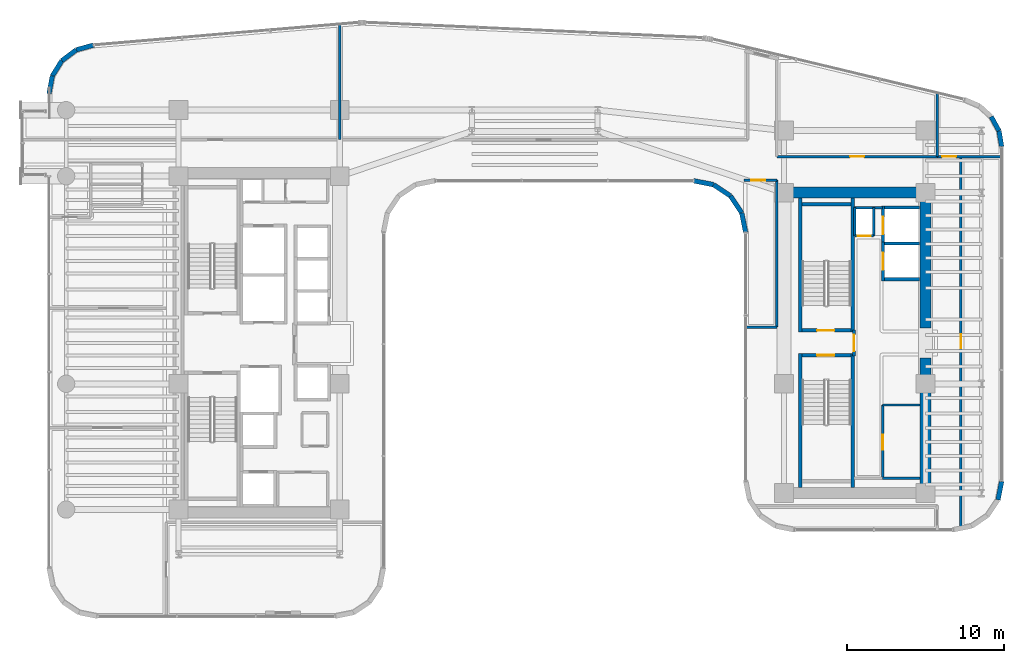
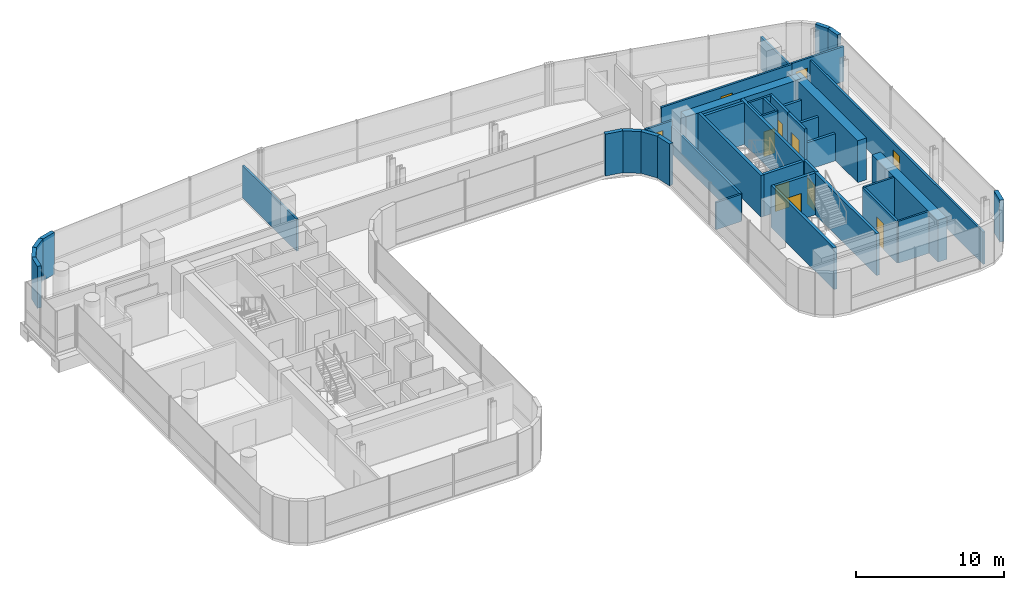
# One storey, part 29 of 34: 42 walls, 11 doors, 11 openings.
"""IFC4 building model written with IfcOpenShell, lengths in metres."""

from ifc_helpers import new_model, si_unit, direction, frame, frame_2d, origin, place, context, subcontext, project, spatial, rectangle, extrude, material, layer, layer_set, type_object, element, fill, save


model = new_model("IFC4")

# Units and contexts
model_context = context("Model", 3, precision=1e-05, world=origin(), true_north=direction((0.0, 1.0)))
body_context = subcontext(model_context, "Body", "Model", "MODEL_VIEW")
ifc_project = project(units=[si_unit("LENGTHUNIT", "METRE"), si_unit("AREAUNIT", "SQUARE_METRE"), si_unit("VOLUMEUNIT", "CUBIC_METRE"), si_unit("PLANEANGLEUNIT", "RADIAN"), si_unit("MASSUNIT", "GRAM", prefix="KILO")], contexts=[model_context])

# Site, building, storey
site_placement = place(None, origin())
site = spatial("IfcSite", under=ifc_project, at=site_placement, CompositionType="ELEMENT")
building_placement = place(site_placement, origin())
building = spatial("IfcBuilding", under=site, at=building_placement, Name="Valdorenza Pilgrim Sanctuary Tower", CompositionType="ELEMENT")
storey_placement = place(building_placement, frame((0.0, 0.0, 120.5)))
storey = spatial("IfcBuildingStorey", under=building, at=storey_placement, Name="L30", CompositionType="ELEMENT", Elevation=120.5)

# Wall, opening, door
ifc_material_1 = material(Name="Acoustic twin-stud gypsum partition", Category="gypsum")
ifc_layer_1 = layer(ifc_material_1, 0.159912109375, Name="Acoustic twin-stud gypsum partition")
ifc_layer_set_1 = layer_set([ifc_layer_1], Name="Acoustic twin-stud gypsum partition")
wall_type_1 = type_object("IfcWallType", Name="WAL-COR-160", PredefinedType="PARTITIONING", material=ifc_layer_set_1)
wall_1_placement = place(storey_placement, frame((20.35009765625, 6.800048828125, 0.0), z_axis=(0.0, 0.0, 1.0), x_axis=(1.0, 0.0, 0.0)))
wall_1 = element("IfcWall", 1, at=wall_1_placement, inside=storey, type_object=wall_type_1, Name="L30 Core B Riser South Wall", PredefinedType="PARTITIONING", context=body_context, shape_type="SweptSolid", body=[
    extrude(rectangle(XDim=1.199951171875, YDim=0.159912109375, at=frame_2d((0.60009765625, 0.0))), origin(), (0.0, 0.0, 1.0), 3.4599609375),
])
opening_1_placement = place(wall_1_placement, frame((0.175048828125, 0.0, 0.0)))
opening_1 = element("IfcOpeningElement", 2, at=opening_1_placement, cuts=wall_1, Name="Opening DR-RS1", PredefinedType="OPENING", context=body_context, shape_type="SweptSolid", body=[
    extrude(rectangle(XDim=0.85009765625, YDim=2.050048828125, at=frame_2d((0.425048828125, 1.02490234375))), frame((0.0, 0.0947265625, 0.0), z_axis=(0.0, -1.0, 0.0), x_axis=(1.0, 0.0, 0.0)), (0.0, 0.0, 1.0), 0.189697265625),
])
ifc_material_2 = material(Name="Painted galvanized steel", Category="steel")
door_type_1 = type_object("IfcDoorType", Name="DR-RSR-850", OperationType="NOTDEFINED", PredefinedType="DOOR", material=ifc_material_2)
door_1_placement = place(opening_1_placement, origin())
door_1 = element("IfcDoor", 3, at=door_1_placement, inside=storey, type_object=door_type_1, Name="L30 Core B Electrical Riser Door", OperationType="SINGLE_SWING_LEFT", OverallHeight=2.050048828125, OverallWidth=0.85009765625, PredefinedType="DOOR", context=body_context, shape_type="SweptSolid", body=[
    extrude(rectangle(XDim=0.85009765625, YDim=2.050048828125, at=frame_2d((0.425048828125, 1.02490234375))), frame((0.0, 0.02490234375, 0.0), z_axis=(0.0, -1.0, 0.0), x_axis=(1.0, 0.0, 0.0)), (0.0, 0.0, 1.0), 0.050048828125),
])
fill(opening_1, door_1)

# Walls
for number, where, z_axis, x_axis, name in (
    (4, (21.550048828125, 6.800048828125, 0.0), (0.0, 0.0, 1.0), (0.0, 1.0, 0.0), "L30 Core B Riser East Wall"),
    (5, (20.35009765625, 6.800048828125, 0.0), (0.0, 0.0, 1.0), (0.0, 1.0, 0.0), "L30 Core B Riser West Wall"),
):
    element("IfcWall", number, at=place(storey_placement, frame(where, z_axis=z_axis, x_axis=x_axis)), inside=storey, type_object=wall_type_1, Name=name, PredefinedType="PARTITIONING", context=body_context, shape_type="SweptSolid", body=[
        extrude(rectangle(XDim=1.800048828125, YDim=0.159912109375, at=frame_2d((0.89990234375, 0.0))), origin(), (0.0, 0.0, 1.0), 3.4599609375),
    ])
wall_2_placement = place(storey_placement, frame((20.300048828125, 8.60009765625, 0.0), z_axis=(0.0, 0.0, 1.0), x_axis=(1.0, 0.0, 0.0)))
element("IfcWall", 6, at=wall_2_placement, inside=storey, type_object=wall_type_1, Name="L30 Core B Lift Hall North End Wall", PredefinedType="PARTITIONING", context=body_context, shape_type="SweptSolid", body=[
    extrude(rectangle(XDim=1.820068359375, YDim=0.159912109375, at=frame_2d((0.91015625, 0.0))), origin(), (0.0, 0.0, 1.0), 3.4599609375),
])

# Wall, opening, door
wall_3_placement = place(storey_placement, frame((22.1201171875, -8.60009765625, 0.0), z_axis=(0.0, 0.0, 1.0), x_axis=(0.0, 1.0, 0.0)))
wall_3 = element("IfcWall", 7, at=wall_3_placement, inside=storey, type_object=wall_type_1, Name="L30 Core B Freed Shaft West Wall", PredefinedType="PARTITIONING", context=body_context, shape_type="SweptSolid", body=[
    extrude(rectangle(XDim=4.650146484375, YDim=0.159912109375, at=frame_2d((2.3251953125, 0.0))), origin(), (0.0, 0.0, 1.0), 3.4599609375),
])
opening_2_placement = place(wall_3_placement, frame((1.800048828125, 0.0, 0.0)))
opening_2 = element("IfcOpeningElement", 8, at=opening_2_placement, cuts=wall_3, Name="Opening DR-UN1", PredefinedType="OPENING", context=body_context, shape_type="SweptSolid", body=[
    extrude(rectangle(XDim=0.949951171875, YDim=2.14990234375, at=frame_2d((0.47509765625, 1.074951171875))), frame((0.0, 0.0947265625, 0.0), z_axis=(0.0, -1.0, 0.0), x_axis=(1.0, 0.0, 0.0)), (0.0, 0.0, 1.0), 0.189697265625),
])
ifc_material_3 = material(Name="Solid-core European oak timber", Category="wood")
door_type_2 = type_object("IfcDoorType", Name="DR-UNIT-950", OperationType="NOTDEFINED", PredefinedType="DOOR", material=ifc_material_3)
door_2_placement = place(opening_2_placement, origin())
door_2 = element("IfcDoor", 9, at=door_2_placement, inside=storey, type_object=door_type_2, Name="L30 East Core Linen Store Door", OperationType="SINGLE_SWING_RIGHT", OverallHeight=2.14990234375, OverallWidth=0.949951171875, PredefinedType="DOOR", context=body_context, shape_type="SweptSolid", body=[
    extrude(rectangle(XDim=0.949951171875, YDim=2.14990234375, at=frame_2d((0.47509765625, 1.074951171875))), frame((0.0, 0.02490234375, 0.0), z_axis=(0.0, -1.0, 0.0), x_axis=(1.0, 0.0, 0.0)), (0.0, 0.0, 1.0), 0.050048828125),
])
fill(opening_2, door_2)

wall_4_placement = place(storey_placement, frame((15.39990234375, 11.85009765625, 0.0), z_axis=(0.0, 0.0, 1.0), x_axis=(1.0, 0.0, 0.0)))
wall_4 = element("IfcWall", 10, at=wall_4_placement, inside=storey, type_object=wall_type_1, Name="L30 Wing B North Corridor Wall", PredefinedType="PARTITIONING", context=body_context, shape_type="SweptSolid", body=[
    extrude(rectangle(XDim=10.2001953125, YDim=0.159912109375, at=frame_2d((5.10009765625, 0.0))), origin(), (0.0, 0.0, 1.0), 2.833984375),
])
opening_3_placement = place(wall_4_placement, frame((4.64990234375, 0.0, 0.0)))
opening_3 = element("IfcOpeningElement", 11, at=opening_3_placement, cuts=wall_4, Name="Opening DR-RM1", PredefinedType="OPENING", context=body_context, shape_type="SweptSolid", body=[
    extrude(rectangle(XDim=0.89990234375, YDim=2.10009765625, at=frame_2d((0.449951171875, 1.050048828125))), frame((0.0, 0.0947265625, 0.0), z_axis=(0.0, -1.0, 0.0), x_axis=(1.0, 0.0, 0.0)), (0.0, 0.0, 1.0), 0.189697265625),
])
door_type_3 = type_object("IfcDoorType", Name="DR-ROOM-900", OperationType="NOTDEFINED", PredefinedType="DOOR", material=ifc_material_3)
door_3_placement = place(opening_3_placement, frame((0.89990234375, 0.0, 0.0), z_axis=(0.0, 0.0, 1.0), x_axis=(-1.0, 0.0, 0.0)))
door_3 = element("IfcDoor", 12, at=door_3_placement, inside=storey, type_object=door_type_3, Name="L30 Curator Research Office L30-BN1 Door", OperationType="SINGLE_SWING_LEFT", OverallHeight=2.10009765625, OverallWidth=0.89990234375, PredefinedType="DOOR", context=body_context, shape_type="SweptSolid", body=[
    extrude(rectangle(XDim=0.89990234375, YDim=2.10009765625, at=frame_2d((0.449951171875, 1.050048828125))), frame((0.0, 0.02490234375, 0.0), z_axis=(0.0, -1.0, 0.0), x_axis=(1.0, 0.0, 0.0)), (0.0, 0.0, 1.0), 0.050048828125),
])
fill(opening_3, door_3)

# Wall
wall_5_placement = place(storey_placement, frame((25.60009765625, 11.85009765625, 0.0), z_axis=(0.0, 0.0, 1.0), x_axis=(0.0, 1.0, 0.0)))
element("IfcWall", 13, at=wall_5_placement, inside=storey, type_object=wall_type_1, Name="L30 Wing B North East Wall", PredefinedType="PARTITIONING", context=body_context, shape_type="SweptSolid", body=[
    extrude(rectangle(XDim=4.042236328125, YDim=0.159912109375, at=frame_2d((2.02099609375, 0.0))), origin(), (0.0, 0.0, 1.0), 2.666015625),
])

# Wall, opening, door
wall_6_placement = place(storey_placement, frame((27.10009765625, -11.660888671875, 0.0), z_axis=(0.0, 0.0, 1.0), x_axis=(0.0, 1.0, 0.0)))
wall_6 = element("IfcWall", 14, at=wall_6_placement, inside=storey, type_object=wall_type_1, Name="L30 Wing B East Corridor Wall", PredefinedType="PARTITIONING", context=body_context, shape_type="SweptSolid", body=[
    extrude(rectangle(XDim=23.510986328125, YDim=0.159912109375, at=frame_2d((11.75537109375, 0.0))), origin(), (0.0, 0.0, 1.0), 2.666015625),
])
opening_4_placement = place(wall_6_placement, frame((11.304931640625, 0.0, 0.0)))
opening_4 = element("IfcOpeningElement", 15, at=opening_4_placement, cuts=wall_6, Name="Opening DR-RM1", PredefinedType="OPENING", context=body_context, shape_type="SweptSolid", body=[
    extrude(rectangle(XDim=0.89990234375, YDim=2.10009765625, at=frame_2d((0.449951171875, 1.050048828125))), frame((0.0, 0.0947265625, 0.0), z_axis=(0.0, -1.0, 0.0), x_axis=(1.0, 0.0, 0.0)), (0.0, 0.0, 1.0), 0.189697265625),
])
door_4_placement = place(opening_4_placement, origin())
door_4 = element("IfcDoor", 16, at=door_4_placement, inside=storey, type_object=door_type_3, Name="L30 Open Plan Scholar Office L30-EB1 Door", OperationType="SINGLE_SWING_RIGHT", OverallHeight=2.10009765625, OverallWidth=0.89990234375, PredefinedType="DOOR", context=body_context, shape_type="SweptSolid", body=[
    extrude(rectangle(XDim=0.89990234375, YDim=2.10009765625, at=frame_2d((0.449951171875, 1.050048828125))), frame((0.0, 0.02490234375, 0.0), z_axis=(0.0, -1.0, 0.0), x_axis=(1.0, 0.0, 0.0)), (0.0, 0.0, 1.0), 0.050048828125),
])
fill(opening_4, door_4)

wall_7_placement = place(storey_placement, frame((25.60009765625, 11.85009765625, 0.0), z_axis=(0.0, 0.0, 1.0), x_axis=(1.0, 0.0, 0.0)))
wall_7 = element("IfcWall", 17, at=wall_7_placement, inside=storey, type_object=wall_type_1, Name="L30 East Wing NE Corner South Wall", PredefinedType="PARTITIONING", context=body_context, shape_type="SweptSolid", body=[
    extrude(rectangle(XDim=4.08984375, YDim=0.159912109375, at=frame_2d((2.044921875, 0.0))), origin(), (0.0, 0.0, 1.0), 2.89599609375),
])
opening_5_placement = place(wall_7_placement, frame((0.300048828125, 0.0, 0.0)))
opening_5 = element("IfcOpeningElement", 18, at=opening_5_placement, cuts=wall_7, Name="Opening DR-RM1", PredefinedType="OPENING", context=body_context, shape_type="SweptSolid", body=[
    extrude(rectangle(XDim=0.89990234375, YDim=2.10009765625, at=frame_2d((0.449951171875, 1.050048828125))), frame((0.0, 0.0947265625, 0.0), z_axis=(0.0, -1.0, 0.0), x_axis=(1.0, 0.0, 0.0)), (0.0, 0.0, 1.0), 0.189697265625),
])
door_5_placement = place(opening_5_placement, origin())
door_5 = element("IfcDoor", 19, at=door_5_placement, inside=storey, type_object=door_type_3, Name="L30 East North Alcove Office L30 Door", OperationType="SINGLE_SWING_LEFT", OverallHeight=2.10009765625, OverallWidth=0.89990234375, PredefinedType="DOOR", context=body_context, shape_type="SweptSolid", body=[
    extrude(rectangle(XDim=0.89990234375, YDim=2.10009765625, at=frame_2d((0.449951171875, 1.050048828125))), frame((0.0, 0.02490234375, 0.0), z_axis=(0.0, -1.0, 0.0), x_axis=(1.0, 0.0, 0.0)), (0.0, 0.0, 1.0), 0.050048828125),
])
fill(opening_5, door_5)

wall_8_placement = place(storey_placement, frame((13.300048828125, 10.35009765625, 0.0), z_axis=(0.0, 0.0, 1.0), x_axis=(1.0, 0.0, 0.0)))
wall_8 = element("IfcWall", 20, at=wall_8_placement, inside=storey, type_object=wall_type_1, Name="L30 Courtyard Overlook North Wall", PredefinedType="PARTITIONING", context=body_context, shape_type="SweptSolid", body=[
    extrude(rectangle(XDim=2.099853515625, YDim=0.159912109375, at=frame_2d((1.0498046875, 0.0))), origin(), (0.0, 0.0, 1.0), 2.666015625),
])
opening_6_placement = place(wall_8_placement, frame((0.449951171875, 0.0, 0.0)))
opening_6 = element("IfcOpeningElement", 21, at=opening_6_placement, cuts=wall_8, Name="Opening DR-RM1", PredefinedType="OPENING", context=body_context, shape_type="SweptSolid", body=[
    extrude(rectangle(XDim=0.89990234375, YDim=2.10009765625, at=frame_2d((0.449951171875, 1.050048828125))), frame((0.0, 0.0947265625, 0.0), z_axis=(0.0, -1.0, 0.0), x_axis=(1.0, 0.0, 0.0)), (0.0, 0.0, 1.0), 0.189697265625),
])
door_6_placement = place(opening_6_placement, origin())
door_6 = element("IfcDoor", 22, at=door_6_placement, inside=storey, type_object=door_type_3, Name="L30 Courtyard Overlook Salon Door", OperationType="SINGLE_SWING_LEFT", OverallHeight=2.10009765625, OverallWidth=0.89990234375, PredefinedType="DOOR", context=body_context, shape_type="SweptSolid", body=[
    extrude(rectangle(XDim=0.89990234375, YDim=2.10009765625, at=frame_2d((0.449951171875, 1.050048828125))), frame((0.0, 0.02490234375, 0.0), z_axis=(0.0, -1.0, 0.0), x_axis=(1.0, 0.0, 0.0)), (0.0, 0.0, 1.0), 0.050048828125),
])
fill(opening_6, door_6)

# Walls
wall_9_placement = place(storey_placement, frame((15.39990234375, 1.0, 0.0), z_axis=(0.0, 0.0, 1.0), x_axis=(0.0, 1.0, 0.0)))
element("IfcWall", 23, at=wall_9_placement, inside=storey, type_object=wall_type_1, Name="L30 Courtyard Overlook East Wall", PredefinedType="PARTITIONING", context=body_context, shape_type="SweptSolid", body=[
    extrude(rectangle(XDim=9.35009765625, YDim=0.159912109375, at=frame_2d((4.675048828125, 0.0))), origin(), (0.0, 0.0, 1.0), 2.2451171875),
])
wall_10_placement = place(storey_placement, frame((13.409912109375, 1.0, 0.0), z_axis=(0.0, 0.0, 1.0), x_axis=(1.0, 0.0, 0.0)))
element("IfcWall", 24, at=wall_10_placement, inside=storey, type_object=wall_type_1, Name="L30 Courtyard Overlook South Wall", PredefinedType="PARTITIONING", context=body_context, shape_type="SweptSolid", body=[
    extrude(rectangle(XDim=1.989990234375, YDim=0.159912109375, at=frame_2d((0.9951171875, 0.0))), origin(), (0.0, 0.0, 1.0), 2.2451171875),
])
ifc_material_4 = material(Name="Concrete C60/75", Category="concrete")
ifc_layer_2 = layer(ifc_material_4, 0.699951171875, Name="Concrete C60/75")
ifc_layer_set_2 = layer_set([ifc_layer_2], Name="Concrete C60/75")
wall_type_2 = type_object("IfcWallType", Name="WAL-COR-700", PredefinedType="SHEAR", material=ifc_layer_set_2)
for number, where, z_axis, x_axis, name in (
    (25, (24.85009765625, -9.89990234375, 0.0), (0.0, 0.0, 1.0), (0.0, 1.0, 0.0), "L30 Split Core B Shear Wall ES"),
    (26, (24.85009765625, 0.949951171875, 0.0), (0.0, 0.0, 1.0), (0.0, 1.0, 0.0), "L30 Split Core B Shear Wall EN"),
):
    element("IfcWall", number, at=place(storey_placement, frame(where, z_axis=z_axis, x_axis=x_axis)), inside=storey, type_object=wall_type_2, Name=name, PredefinedType="SHEAR", context=body_context, shape_type="SweptSolid", body=[
        extrude(rectangle(XDim=8.949951171875, YDim=0.699951171875, at=frame_2d((4.47509765625, 0.0))), origin(), (0.0, 0.0, 1.0), 3.4599609375),
    ])
wall_11_placement = place(storey_placement, frame((15.85009765625, 9.550048828125, 0.0), z_axis=(0.0, 0.0, 1.0), x_axis=(1.0, 0.0, 0.0)))
element("IfcWall", 27, at=wall_11_placement, inside=storey, type_object=wall_type_2, Name="L30 Split Core B Shear Wall N", PredefinedType="SHEAR", context=body_context, shape_type="SweptSolid", body=[
    extrude(rectangle(XDim=9.0, YDim=0.699951171875, at=frame_2d((4.5, 0.0))), origin(), (0.0, 0.0, 1.0), 3.4599609375),
])
ifc_material_5 = material(Name="Honed travertine limestone", Category="masonry")
ifc_layer_3 = layer(ifc_material_5, 0.300048828125, Name="Honed travertine limestone")
ifc_layer_set_3 = layer_set([ifc_layer_3], Name="Honed travertine limestone")
wall_type_3 = type_object("IfcWallType", Name="WAL-EXT-300", PredefinedType="SOLIDWALL", material=ifc_layer_set_3)
wall_12_placement = place(storey_placement, frame((-30.889892578125, 15.850341796875, 0.0), z_axis=(0.0, 0.0, 1.0), x_axis=(0.184557499391, 0.982821718023, 0.0)))
element("IfcWall", 28, at=wall_12_placement, inside=storey, type_object=wall_type_3, Name="L30 Rounded Wind-Corner Stone Pier 2", PredefinedType="SOLIDWALL", context=body_context, shape_type="SweptSolid", body=[
    extrude(rectangle(XDim=1.15087890625, YDim=0.300048828125, at=frame_2d((0.575439453125, 0.0))), origin(), (0.0, 0.0, 1.0), 3.4599609375),
])
wall_13_placement = place(storey_placement, frame((-30.677490234375, 16.9814453125, 0.0), z_axis=(0.0, 0.0, 1.0), x_axis=(0.52880576008, 0.848742875143, 0.0)))
element("IfcWall", 29, at=wall_13_placement, inside=storey, type_object=wall_type_3, Name="L30 Rounded Wind-Corner Stone Pier 3", PredefinedType="SOLIDWALL", context=body_context, shape_type="SweptSolid", body=[
    extrude(rectangle(XDim=1.140869140625, YDim=0.300048828125, at=frame_2d((0.5703125, 0.0))), origin(), (0.0, 0.0, 1.0), 3.4599609375),
])
wall_14_placement = place(storey_placement, frame((-30.07421875, 17.94970703125, 0.0), z_axis=(0.0, 0.0, 1.0), x_axis=(0.800975009324, 0.598697782223, 0.0)))
element("IfcWall", 30, at=wall_14_placement, inside=storey, type_object=wall_type_3, Name="L30 Rounded Wind-Corner Stone Pier 4", PredefinedType="SOLIDWALL", context=body_context, shape_type="SweptSolid", body=[
    extrude(rectangle(XDim=1.140625, YDim=0.300048828125, at=frame_2d((0.5703125, 0.0))), origin(), (0.0, 0.0, 1.0), 3.4599609375),
])
wall_15_placement = place(storey_placement, frame((-29.16064453125, 18.632568359375, 0.0), z_axis=(0.0, 0.0, 1.0), x_axis=(0.963624193367, 0.267260947313, 0.0)))
element("IfcWall", 31, at=wall_15_placement, inside=storey, type_object=wall_type_3, Name="L30 Rounded Wind-Corner Stone Pier 5", PredefinedType="SOLIDWALL", context=body_context, shape_type="SweptSolid", body=[
    extrude(rectangle(XDim=1.15087890625, YDim=0.300048828125, at=frame_2d((0.575439453125, 0.0))), origin(), (0.0, 0.0, 1.0), 3.4599609375),
])
wall_16_placement = place(storey_placement, frame((29.024658203125, 14.388427734375, 0.0), z_axis=(0.0, 0.0, 1.0), x_axis=(0.480284137298, -0.87711296163, 0.0)))
element("IfcWall", 32, at=wall_16_placement, inside=storey, type_object=wall_type_3, Name="L30 Rounded Wind-Corner Stone Pier 19", PredefinedType="SOLIDWALL", context=body_context, shape_type="SweptSolid", body=[
    extrude(rectangle(XDim=1.02685546875, YDim=0.300048828125, at=frame_2d((0.513427734375, 0.0))), origin(), (0.0, 0.0, 1.0), 3.4599609375),
])
wall_17_placement = place(storey_placement, frame((29.517822265625, 13.48779296875, 0.0), z_axis=(0.0, 0.0, 1.0), x_axis=(0.166156796952, -0.986099345313, 0.0)))
element("IfcWall", 33, at=wall_17_placement, inside=storey, type_object=wall_type_3, Name="L30 Rounded Wind-Corner Stone Pier 20", PredefinedType="SOLIDWALL", context=body_context, shape_type="SweptSolid", body=[
    extrude(rectangle(XDim=1.035888671875, YDim=0.300048828125, at=frame_2d((0.51806640625, 0.0))), origin(), (0.0, 0.0, 1.0), 3.4599609375),
])
wall_18_placement = place(storey_placement, frame((29.68994140625, -8.789306640625, 0.0), z_axis=(0.0, 0.0, 1.0), x_axis=(-0.194996050505, -0.980804027463, 0.0)))
element("IfcWall", 34, at=wall_18_placement, inside=storey, type_object=wall_type_3, Name="L30 Rounded Wind-Corner Stone Pier 22", PredefinedType="SOLIDWALL", context=body_context, shape_type="SweptSolid", body=[
    extrude(rectangle(XDim=1.2158203125, YDim=0.300048828125, at=frame_2d((0.60791015625, 0.0))), origin(), (0.0, 0.0, 1.0), 3.4599609375),
])
wall_19_placement = place(storey_placement, frame((13.409912109375, 7.0107421875, 0.0), z_axis=(0.0, 0.0, 1.0), x_axis=(-0.195090163074, 0.980785312019, 0.0)))
element("IfcWall", 35, at=wall_19_placement, inside=storey, type_object=wall_type_3, Name="L30 Rounded Wind-Corner Stone Pier 32", PredefinedType="SOLIDWALL", context=body_context, shape_type="SweptSolid", body=[
    extrude(rectangle(XDim=1.281494140625, YDim=0.300048828125, at=frame_2d((0.640625, 0.0))), origin(), (0.0, 0.0, 1.0), 3.4599609375),
])
for number, where, z_axis, x_axis, name in (
    (36, (13.159912109375, 8.267578125, 0.0), (0.0, 0.0, 1.0), (-0.555615398575, 0.831439431869, 0.0), "L30 Rounded Wind-Corner Stone Pier 33"),
    (37, (12.44189453125, 9.342041015625, 0.0), (0.0, 0.0, 1.0), (-0.831439431869, 0.555615398575, 0.0), "L30 Rounded Wind-Corner Stone Pier 34"),
):
    element("IfcWall", number, at=place(storey_placement, frame(where, z_axis=z_axis, x_axis=x_axis)), inside=storey, type_object=wall_type_3, Name=name, PredefinedType="SOLIDWALL", context=body_context, shape_type="SweptSolid", body=[
        extrude(rectangle(XDim=1.292236328125, YDim=0.300048828125, at=frame_2d((0.64599609375, 0.0))), origin(), (0.0, 0.0, 1.0), 3.4599609375),
    ])
wall_20_placement = place(storey_placement, frame((11.367431640625, 10.06005859375, 0.0), z_axis=(0.0, 0.0, 1.0), x_axis=(-0.980778058848, 0.195126623715, 0.0)))
element("IfcWall", 38, at=wall_20_placement, inside=storey, type_object=wall_type_3, Name="L30 Rounded Wind-Corner Stone Pier 35", PredefinedType="SOLIDWALL", context=body_context, shape_type="SweptSolid", body=[
    extrude(rectangle(XDim=1.28125, YDim=0.300048828125, at=frame_2d((0.640625, 0.0))), origin(), (0.0, 0.0, 1.0), 3.4599609375),
])

# Wall, opening, door
ifc_material_6 = material(Name="Gypsum shaftwall partition", Category="gypsum")
ifc_layer_4 = layer(ifc_material_6, 0.199951171875, Name="Gypsum shaftwall partition")
ifc_layer_set_4 = layer_set([ifc_layer_4], Name="Gypsum shaftwall partition")
wall_type_4 = type_object("IfcWallType", Name="WAL-FFL-200", PredefinedType="PARTITIONING", material=ifc_layer_set_4)
wall_21_placement = place(storey_placement, frame((20.300048828125, -0.820068359375, 0.0), z_axis=(0.0, 0.0, 1.0), x_axis=(0.0, 1.0, 0.0)))
wall_21 = element("IfcWall", 39, at=wall_21_placement, inside=storey, type_object=wall_type_4, Name="L30 Core B Firefighting Lobby East Wall", PredefinedType="PARTITIONING", context=body_context, shape_type="SweptSolid", body=[
    extrude(rectangle(XDim=1.64013671875, YDim=0.199951171875, at=frame_2d((0.820068359375, 0.0))), origin(), (0.0, 0.0, 1.0), 3.4599609375),
])
opening_7_placement = place(wall_21_placement, frame((0.294921875, 0.0, 0.0)))
opening_7 = element("IfcOpeningElement", 40, at=opening_7_placement, cuts=wall_21, Name="Opening DR-FL1", PredefinedType="OPENING", context=body_context, shape_type="SweptSolid", body=[
    extrude(rectangle(XDim=1.050048828125, YDim=2.14990234375, at=frame_2d((0.52490234375, 1.074951171875))), frame((0.0, 0.11474609375, 0.0), z_axis=(0.0, -1.0, 0.0), x_axis=(1.0, 0.0, 0.0)), (0.0, 0.0, 1.0), 0.229736328125),
])
door_type_4 = type_object("IfcDoorType", Name="DR-FFL-1050", OperationType="NOTDEFINED", PredefinedType="DOOR", material=ifc_material_2)
door_7_placement = place(opening_7_placement, origin())
door_7 = element("IfcDoor", 41, at=door_7_placement, inside=storey, type_object=door_type_4, Name="L30 Core B Firefighting Lobby Door", OperationType="SINGLE_SWING_RIGHT", OverallHeight=2.14990234375, OverallWidth=1.050048828125, PredefinedType="DOOR", context=body_context, shape_type="SweptSolid", body=[
    extrude(rectangle(XDim=1.050048828125, YDim=2.14990234375, at=frame_2d((0.52490234375, 1.074951171875))), frame((0.0, 0.02490234375, 0.0), z_axis=(0.0, -1.0, 0.0), x_axis=(1.0, 0.0, 0.0)), (0.0, 0.0, 1.0), 0.050048828125),
])
fill(opening_7, door_7)

ifc_material_7 = material(Name="Autoclaved aerated concrete blockwork", Category="masonry")
ifc_layer_5 = layer(ifc_material_7, 0.199951171875, Name="Autoclaved aerated concrete blockwork")
ifc_layer_set_5 = layer_set([ifc_layer_5], Name="Autoclaved aerated concrete blockwork")
wall_type_5 = type_object("IfcWallType", Name="WAL-SHF-200", PredefinedType="MOVABLE", material=ifc_layer_set_5)
wall_22_placement = place(storey_placement, frame((22.14990234375, 3.949951171875, 0.0), z_axis=(0.0, 0.0, 1.0), x_axis=(0.0, 1.0, 0.0)))
wall_22 = element("IfcWall", 42, at=wall_22_placement, inside=storey, type_object=wall_type_5, Name="L30 Lift PL-07 Hoistway Wall West", PredefinedType="MOVABLE", context=body_context, shape_type="SweptSolid", body=[
    extrude(rectangle(XDim=2.47509765625, YDim=0.199951171875, at=frame_2d((1.237548828125, 0.0))), origin(), (0.0, 0.0, 1.0), 3.4599609375),
])
opening_8_placement = place(wall_22_placement, frame((0.6875, 0.0, 0.0)))
opening_8 = element("IfcOpeningElement", 43, at=opening_8_placement, cuts=wall_22, Name="Opening LD-01", PredefinedType="OPENING", context=body_context, shape_type="SweptSolid", body=[
    extrude(rectangle(XDim=1.10009765625, YDim=2.10009765625, at=frame_2d((0.550048828125, 1.050048828125))), frame((0.0, 0.11474609375, 0.0), z_axis=(0.0, -1.0, 0.0), x_axis=(1.0, 0.0, 0.0)), (0.0, 0.0, 1.0), 0.229736328125),
])
ifc_material_8 = material(Name="Brushed stainless steel Grade 316", Category="steel")
door_type_5 = type_object("IfcDoorType", Name="DR-LFT-1100", OperationType="DOUBLE_DOOR_SLIDING", PredefinedType="DOOR", material=ifc_material_8)
door_8_placement = place(opening_8_placement, origin())
door_8 = element("IfcDoor", 44, at=door_8_placement, inside=storey, type_object=door_type_5, Name="L30 Lift PL-07 Sliding Landing Door", OperationType="DOUBLE_DOOR_SLIDING", OverallHeight=2.10009765625, OverallWidth=1.10009765625, PredefinedType="DOOR", context=body_context, shape_type="SweptSolid", body=[
    extrude(rectangle(XDim=1.10009765625, YDim=2.10009765625, at=frame_2d((0.550048828125, 1.050048828125))), frame((0.0, 0.02490234375, 0.0), z_axis=(0.0, -1.0, 0.0), x_axis=(1.0, 0.0, 0.0)), (0.0, 0.0, 1.0), 0.050048828125),
])
fill(opening_8, door_8)

# Walls
for number, where, z_axis, x_axis, name in (
    (45, (22.25, 4.050048828125, 0.0), (0.0, 0.0, 1.0), (1.0, 0.0, 0.0), "L30 Lift PL-07 Hoistway Wall South"),
    (46, (22.25, 6.324951171875, 0.0), (0.0, 0.0, 1.0), (1.0, 0.0, 0.0), "L30 Lift PL-07 Hoistway Wall North"),
):
    element("IfcWall", number, at=place(storey_placement, frame(where, z_axis=z_axis, x_axis=x_axis)), inside=storey, type_object=wall_type_5, Name=name, PredefinedType="MOVABLE", context=body_context, shape_type="SweptSolid", body=[
        extrude(rectangle(XDim=2.22998046875, YDim=0.199951171875, at=frame_2d((1.114990234375, 0.0))), origin(), (0.0, 0.0, 1.0), 2.2451171875),
    ])

# Wall, opening, door
wall_23_placement = place(storey_placement, frame((22.14990234375, 6.22509765625, 0.0), z_axis=(0.0, 0.0, 1.0), x_axis=(0.0, 1.0, 0.0)))
wall_23 = element("IfcWall", 47, at=wall_23_placement, inside=storey, type_object=wall_type_5, Name="L30 Lift PL-08 Hoistway Wall West", PredefinedType="MOVABLE", context=body_context, shape_type="SweptSolid", body=[
    extrude(rectangle(XDim=2.474853515625, YDim=0.199951171875, at=frame_2d((1.2373046875, 0.0))), origin(), (0.0, 0.0, 1.0), 3.4599609375),
])
opening_9_placement = place(wall_23_placement, frame((0.6875, 0.0, 0.0)))
opening_9 = element("IfcOpeningElement", 48, at=opening_9_placement, cuts=wall_23, Name="Opening LD-01", PredefinedType="OPENING", context=body_context, shape_type="SweptSolid", body=[
    extrude(rectangle(XDim=1.10009765625, YDim=2.10009765625, at=frame_2d((0.550048828125, 1.050048828125))), frame((0.0, 0.11474609375, 0.0), z_axis=(0.0, -1.0, 0.0), x_axis=(1.0, 0.0, 0.0)), (0.0, 0.0, 1.0), 0.229736328125),
])
door_9_placement = place(opening_9_placement, origin())
door_9 = element("IfcDoor", 49, at=door_9_placement, inside=storey, type_object=door_type_5, Name="L30 Lift PL-08 Sliding Landing Door", OperationType="DOUBLE_DOOR_SLIDING", OverallHeight=2.10009765625, OverallWidth=1.10009765625, PredefinedType="DOOR", context=body_context, shape_type="SweptSolid", body=[
    extrude(rectangle(XDim=1.10009765625, YDim=2.10009765625, at=frame_2d((0.550048828125, 1.050048828125))), frame((0.0, 0.02490234375, 0.0), z_axis=(0.0, -1.0, 0.0), x_axis=(1.0, 0.0, 0.0)), (0.0, 0.0, 1.0), 0.050048828125),
])
fill(opening_9, door_9)

# Walls
wall_24_placement = place(storey_placement, frame((22.25, 8.60009765625, 0.0), z_axis=(0.0, 0.0, 1.0), x_axis=(1.0, 0.0, 0.0)))
element("IfcWall", 50, at=wall_24_placement, inside=storey, type_object=wall_type_5, Name="L30 Lift PL-08 Hoistway Wall North", PredefinedType="MOVABLE", context=body_context, shape_type="SweptSolid", body=[
    extrude(rectangle(XDim=2.22998046875, YDim=0.199951171875, at=frame_2d((1.114990234375, 0.0))), origin(), (0.0, 0.0, 1.0), 2.2451171875),
])
ifc_material_9 = material(Name="Concrete C40/50", Category="concrete")
ifc_layer_6 = layer(ifc_material_9, 0.219970703125, Name="Concrete C40/50")
ifc_layer_set_6 = layer_set([ifc_layer_6], Name="Concrete C40/50")
wall_type_6 = type_object("IfcWallType", Name="WAL-STR-SHF-220", PredefinedType="SHEAR", material=ifc_layer_set_6)
for number, where, z_axis, x_axis, name in (
    (51, (16.889892578125, 0.679931640625, 0.0), (0.0, 0.0, 1.0), (0.0, 1.0, 0.0), "L30 ST-B1 Structural Stairwell Wall W"),
    (52, (20.219970703125, 0.679931640625, 0.0), (0.0, 0.0, 1.0), (0.0, 1.0, 0.0), "L30 ST-B1 Structural Stairwell Wall E"),
):
    element("IfcWall", number, at=place(storey_placement, frame(where, z_axis=z_axis, x_axis=x_axis)), inside=storey, type_object=wall_type_6, Name=name, PredefinedType="SHEAR", context=body_context, shape_type="SweptSolid", body=[
        extrude(rectangle(XDim=8.52001953125, YDim=0.219970703125, at=frame_2d((4.260009765625, 0.0))), origin(), (0.0, 0.0, 1.0), 3.4599609375),
    ])

# Wall, opening, door
wall_25_placement = place(storey_placement, frame((17.0, 0.7900390625, 0.0), z_axis=(0.0, 0.0, 1.0), x_axis=(1.0, 0.0, 0.0)))
wall_25 = element("IfcWall", 53, at=wall_25_placement, inside=storey, type_object=wall_type_6, Name="L30 ST-B1 Structural Stairwell Wall S", PredefinedType="SHEAR", context=body_context, shape_type="SweptSolid", body=[
    extrude(rectangle(XDim=3.110107421875, YDim=0.219970703125, at=frame_2d((1.55517578125, 0.0))), origin(), (0.0, 0.0, 1.0), 3.4599609375),
])
opening_10_placement = place(wall_25_placement, frame((0.949951171875, 0.0, 0.0)))
opening_10 = element("IfcOpeningElement", 54, at=opening_10_placement, cuts=wall_25, Name="Opening DR-ST1", PredefinedType="OPENING", context=body_context, shape_type="SweptSolid", body=[
    extrude(rectangle(XDim=1.10009765625, YDim=2.14990234375, at=frame_2d((0.550048828125, 1.074951171875))), frame((0.0, 0.125, 0.0), z_axis=(0.0, -1.0, 0.0), x_axis=(1.0, 0.0, 0.0)), (0.0, 0.0, 1.0), 0.249755859375),
])
door_type_6 = type_object("IfcDoorType", Name="DR-STAIR-1100", OperationType="NOTDEFINED", PredefinedType="DOOR", material=ifc_material_2)
door_10_placement = place(opening_10_placement, frame((1.10009765625, 0.0, 0.0), z_axis=(0.0, 0.0, 1.0), x_axis=(-1.0, 0.0, 0.0)))
door_10 = element("IfcDoor", 55, at=door_10_placement, inside=storey, type_object=door_type_6, Name="L30 Exit Stair ST-B1 Door", OperationType="SINGLE_SWING_LEFT", OverallHeight=2.14990234375, OverallWidth=1.10009765625, PredefinedType="DOOR", context=body_context, shape_type="SweptSolid", body=[
    extrude(rectangle(XDim=1.10009765625, YDim=2.14990234375, at=frame_2d((0.550048828125, 1.074951171875))), frame((0.0, 0.02490234375, 0.0), z_axis=(0.0, -1.0, 0.0), x_axis=(1.0, 0.0, 0.0)), (0.0, 0.0, 1.0), 0.050048828125),
])
fill(opening_10, door_10)

# Walls
wall_26_placement = place(storey_placement, frame((17.0, 8.81005859375, 0.0), z_axis=(0.0, 0.0, 1.0), x_axis=(1.0, 0.0, 0.0)))
element("IfcWall", 56, at=wall_26_placement, inside=storey, type_object=wall_type_6, Name="L30 ST-B1 Structural Stairwell Wall N", PredefinedType="SHEAR", context=body_context, shape_type="SweptSolid", body=[
    extrude(rectangle(XDim=3.110107421875, YDim=0.219970703125, at=frame_2d((1.55517578125, 0.0))), origin(), (0.0, 0.0, 1.0), 3.4599609375),
])
for number, where, z_axis, x_axis, name in (
    (57, (16.889892578125, -9.199951171875, 0.0), (0.0, 0.0, 1.0), (0.0, 1.0, 0.0), "L30 ST-B2 Structural Stairwell Wall W"),
    (58, (20.219970703125, -9.199951171875, 0.0), (0.0, 0.0, 1.0), (0.0, 1.0, 0.0), "L30 ST-B2 Structural Stairwell Wall E"),
):
    element("IfcWall", number, at=place(storey_placement, frame(where, z_axis=z_axis, x_axis=x_axis)), inside=storey, type_object=wall_type_6, Name=name, PredefinedType="SHEAR", context=body_context, shape_type="SweptSolid", body=[
        extrude(rectangle(XDim=8.52001953125, YDim=0.219970703125, at=frame_2d((4.260009765625, 0.0))), origin(), (0.0, 0.0, 1.0), 3.4599609375),
    ])

# Wall, opening, door
wall_27_placement = place(storey_placement, frame((17.0, -0.7900390625, 0.0), z_axis=(0.0, 0.0, 1.0), x_axis=(1.0, 0.0, 0.0)))
wall_27 = element("IfcWall", 59, at=wall_27_placement, inside=storey, type_object=wall_type_6, Name="L30 ST-B2 Structural Stairwell Wall N", PredefinedType="SHEAR", context=body_context, shape_type="SweptSolid", body=[
    extrude(rectangle(XDim=3.110107421875, YDim=0.219970703125, at=frame_2d((1.55517578125, 0.0))), origin(), (0.0, 0.0, 1.0), 3.4599609375),
])
opening_11_placement = place(wall_27_placement, frame((0.949951171875, 0.0, 0.0)))
opening_11 = element("IfcOpeningElement", 60, at=opening_11_placement, cuts=wall_27, Name="Opening DR-ST1", PredefinedType="OPENING", context=body_context, shape_type="SweptSolid", body=[
    extrude(rectangle(XDim=1.10009765625, YDim=2.14990234375, at=frame_2d((0.550048828125, 1.074951171875))), frame((0.0, 0.125, 0.0), z_axis=(0.0, -1.0, 0.0), x_axis=(1.0, 0.0, 0.0)), (0.0, 0.0, 1.0), 0.249755859375),
])
door_11_placement = place(opening_11_placement, origin())
door_11 = element("IfcDoor", 61, at=door_11_placement, inside=storey, type_object=door_type_6, Name="L30 Exit Stair ST-B2 Door", OperationType="SINGLE_SWING_RIGHT", OverallHeight=2.14990234375, OverallWidth=1.10009765625, PredefinedType="DOOR", context=body_context, shape_type="SweptSolid", body=[
    extrude(rectangle(XDim=1.10009765625, YDim=2.14990234375, at=frame_2d((0.550048828125, 1.074951171875))), frame((0.0, 0.02490234375, 0.0), z_axis=(0.0, -1.0, 0.0), x_axis=(1.0, 0.0, 0.0)), (0.0, 0.0, 1.0), 0.050048828125),
])
fill(opening_11, door_11)

# Walls
ifc_layer_7 = layer(ifc_material_1, 0.14990234375, Name="Acoustic twin-stud gypsum partition")
ifc_layer_set_7 = layer_set([ifc_layer_7], Name="Acoustic twin-stud gypsum partition")
wall_type_7 = type_object("IfcWallType", Name="WAL-UNT-150", PredefinedType="PARTITIONING", material=ifc_layer_set_7)
for number, where, z_axis, x_axis, name in (
    (62, (22.1201171875, -3.949951171875, 0.0), (0.0, 0.0, 1.0), (1.0, 0.0, 0.0), "L30 Core B Freed Shaft North Wall"),
    (63, (22.1201171875, -8.60009765625, 0.0), (0.0, 0.0, 1.0), (1.0, 0.0, 0.0), "L30 Core B Freed Shaft South Wall"),
):
    element("IfcWall", number, at=place(storey_placement, frame(where, z_axis=z_axis, x_axis=x_axis)), inside=storey, type_object=wall_type_7, Name=name, PredefinedType="PARTITIONING", context=body_context, shape_type="SweptSolid", body=[
        extrude(rectangle(XDim=2.3798828125, YDim=0.14990234375, at=frame_2d((1.18994140625, 0.0))), origin(), (0.0, 0.0, 1.0), 3.4599609375),
    ])
wall_28_placement = place(storey_placement, frame((-12.39990234375, 12.919921875, 0.0), z_axis=(0.0, 0.0, 1.0), x_axis=(0.0, 1.0, 0.0)))
element("IfcWall", 64, at=wall_28_placement, inside=storey, type_object=wall_type_7, Name="L30 North Grid Office Wall 1", PredefinedType="PARTITIONING", context=body_context, shape_type="SweptSolid", body=[
    extrude(rectangle(XDim=7.3505859375, YDim=0.14990234375, at=frame_2d((3.67529296875, 0.0))), origin(), (0.0, 0.0, 1.0), 2.666015625),
])

save(model, "model.ifc")
